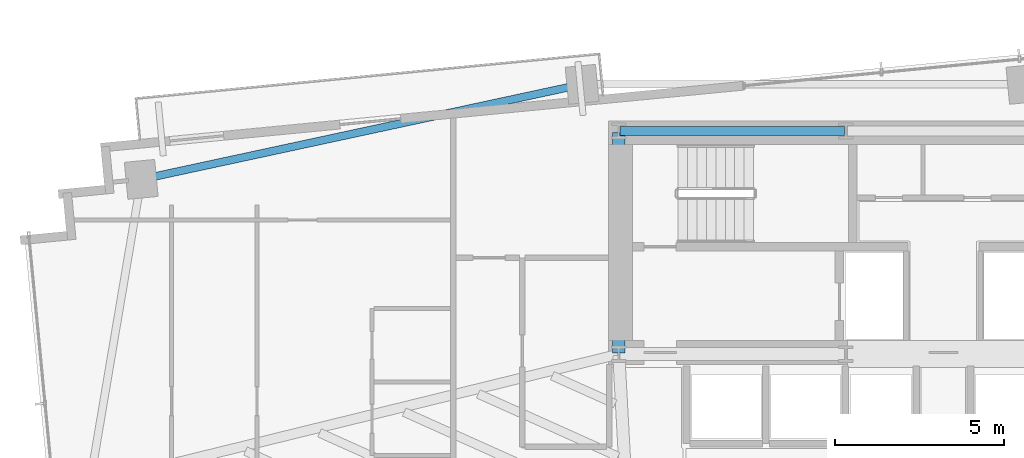
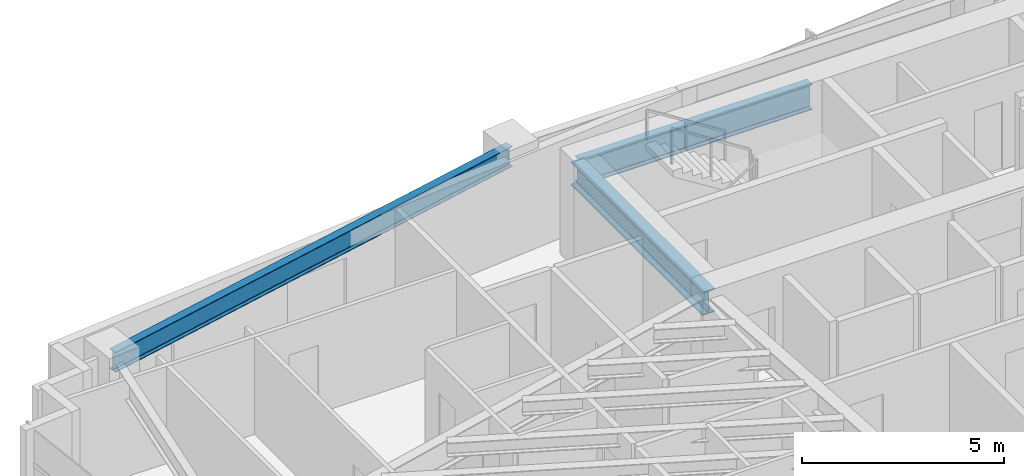
# One storey, part 9 of 25: 3 beams.
"""IFC4 building model written with IfcOpenShell, lengths in metres."""

from ifc_helpers import new_model, si_unit, direction, frame, origin, origin_2d, place, context, subcontext, project, spatial, i_section, extrude, source, transform, mapped, material, material_profile, profile_set, type_object, type_shapes, element, save


model = new_model("IFC4")

# Units and contexts
model_context = context("Model", 3, precision=1e-05, world=origin(), true_north=direction((0.0, 1.0)))
body_context = subcontext(model_context, "Body", "Model", "MODEL_VIEW")
ifc_project = project(units=[si_unit("LENGTHUNIT", "METRE"), si_unit("AREAUNIT", "SQUARE_METRE"), si_unit("VOLUMEUNIT", "CUBIC_METRE"), si_unit("PLANEANGLEUNIT", "RADIAN"), si_unit("MASSUNIT", "GRAM", prefix="KILO")], contexts=[model_context])

# Site, building, storey
site_placement = place(None, origin())
site = spatial("IfcSite", under=ifc_project, at=site_placement, CompositionType="ELEMENT")
building_placement = place(site_placement, origin())
building = spatial("IfcBuilding", under=site, at=building_placement, Name="Astriad Promenade Condominiums", CompositionType="ELEMENT")
storey_placement = place(building_placement, frame((0.0, 0.0, 100.199951171875)))
storey = spatial("IfcBuildingStorey", under=building, at=storey_placement, Name="L28", CompositionType="ELEMENT", Elevation=100.199951171875)

# Beams
ifc_material = material(Name="Steel ASTM A992 Grade 50", Category="steel")
ifc_material_profile_1 = material_profile(ifc_material, i_section(OverallWidth=0.267822265625, OverallDepth=0.76953125, WebThickness=0.015625, FlangeThickness=0.025390625, FilletRadius=0.021484375, at=origin_2d()), Name="W30X132")
ifc_profile_set_1 = profile_set([ifc_material_profile_1], Name="Steel ASTM A992 Grade 50")
beam_type_1 = type_object("IfcBeamType", Name="STEEL FLOOR GIRDER W30X132", PredefinedType="BEAM", material=ifc_profile_set_1)
shared_shape_1 = source(origin(), body_context, "Body", "SweptSolid", [
    extrude(i_section(OverallWidth=0.267822265625, OverallDepth=0.76953125, WebThickness=0.015625, FlangeThickness=0.025390625, FilletRadius=0.021484375, at=origin_2d()), origin(), (0.0, 0.0, 1.0), 6.64013671875),
])
type_shapes(beam_type_1, [shared_shape_1])
beam_1_placement = place(storey_placement, frame((26.43994140625, 24.0, 2.55517578125), z_axis=(1.0, 0.0, 0.0), x_axis=(0.0, 1.0, 0.0)))
element("IfcBeam", 1, at=beam_1_placement, inside=storey, type_object=beam_type_1, Name="Core Ring Beam CG-N1-L28", PredefinedType="BEAM", context=body_context, shape_type="MappedRepresentation", body=[
    mapped(shared_shape_1, transform((0.0, 0.0, 0.0), scale=1.0)),
])
ifc_material_profile_2 = material_profile(ifc_material, i_section(OverallWidth=0.35791015625, OverallDepth=0.706298828125, WebThickness=0.018310546875, FlangeThickness=0.0302734375, FilletRadius=0.020263671875, at=origin_2d()), Name="W27X178")
ifc_profile_set_2 = profile_set([ifc_material_profile_2], Name="Steel ASTM A992 Grade 50")
beam_type_2 = type_object("IfcBeamType", Name="STEEL FLOOR GIRDER W27X178", PredefinedType="BEAM", material=ifc_profile_set_2)
shared_shape_2 = source(origin(), body_context, "Body", "SweptSolid", [
    extrude(i_section(OverallWidth=0.35791015625, OverallDepth=0.706298828125, WebThickness=0.018310546875, FlangeThickness=0.0302734375, FilletRadius=0.020263671875, at=origin_2d()), origin(), (0.0, 0.0, 1.0), 6.52001953125),
])
type_shapes(beam_type_2, [shared_shape_2])
beam_2_placement = place(storey_placement, frame((26.39990234375, 17.43994140625, 2.5869140625), z_axis=(0.0, 1.0, 0.0), x_axis=(-1.0, 0.0, 0.0)))
element("IfcBeam", 2, at=beam_2_placement, inside=storey, type_object=beam_type_2, Name="Core Ring Beam CG-W1-L28", PredefinedType="BEAM", context=body_context, shape_type="MappedRepresentation", body=[
    mapped(shared_shape_2, transform((0.0, 0.0, 0.0), scale=1.0)),
])
ifc_material_profile_3 = material_profile(ifc_material, i_section(OverallWidth=0.22900390625, OverallDepth=0.612060546875, WebThickness=0.011962890625, FlangeThickness=0.01953125, FilletRadius=0.017822265625, at=origin_2d()), Name="W24X84")
ifc_profile_set_3 = profile_set([ifc_material_profile_3], Name="Steel ASTM A992 Grade 50")
beam_type_3 = type_object("IfcBeamType", Name="STEEL SPANDREL BEAM W24X84", PredefinedType="SPANDREL", material=ifc_profile_set_3)
shared_shape_3 = source(origin(), body_context, "Body", "SweptSolid", [
    extrude(i_section(OverallWidth=0.22900390625, OverallDepth=0.612060546875, WebThickness=0.011962890625, FlangeThickness=0.01953125, FilletRadius=0.017822265625, at=origin_2d()), origin(), (0.0, 0.0, 1.0), 13.25927734375),
])
type_shapes(beam_type_3, [shared_shape_3])
beam_3_placement = place(storey_placement, frame((25.27587890625, 25.37158203125, 2.634033203125), z_axis=(-0.977531608864, -0.210788884127, 0.0), x_axis=(0.210788884127, -0.977531608864, 0.0)))
element("IfcBeam", 3, at=beam_3_placement, inside=storey, type_object=beam_type_3, Name="Perimeter Spandrel Beam SP-N1-L28", PredefinedType="SPANDREL", context=body_context, shape_type="MappedRepresentation", body=[
    mapped(shared_shape_3, transform((0.0, 0.0, 0.0), scale=1.0)),
])

save(model, "model.ifc")
